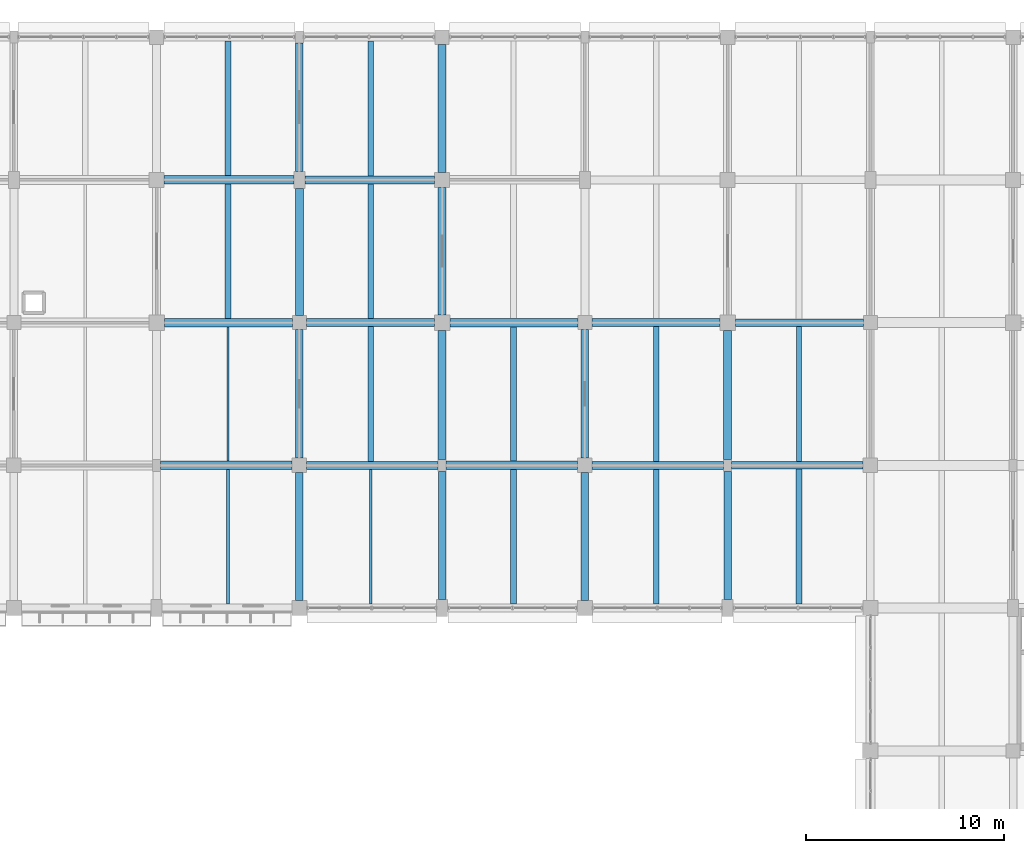
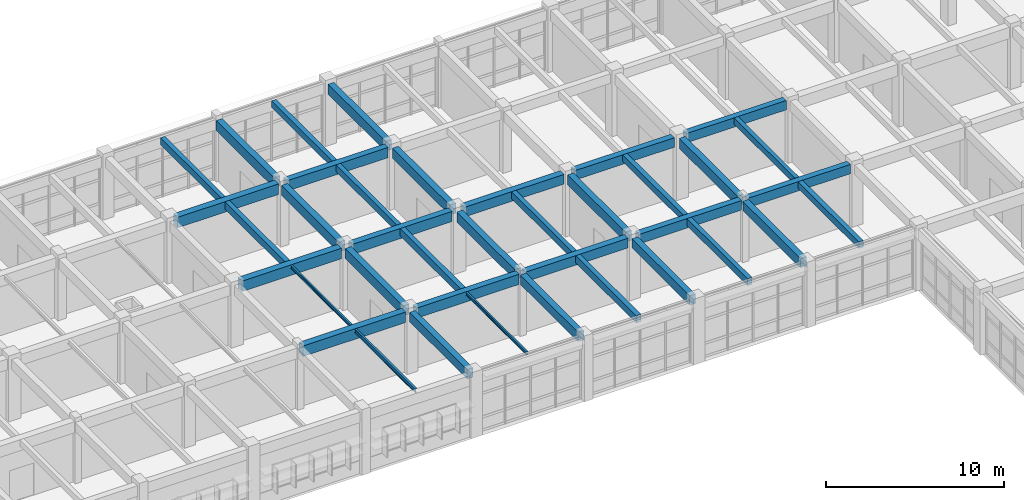
# One storey, part 82 of 171: 38 beams.
"""IFC4 building model written with IfcOpenShell, lengths in metres."""

from ifc_helpers import new_model, si_unit, direction, frame, origin, origin_2d, place, context, subcontext, project, spatial, rectangle, i_section, extrude, material, material_profile, profile_set, type_object, element, save


model = new_model("IFC4")

# Units and contexts
model_context = context("Model", 3, precision=1e-05, world=origin(), true_north=direction((0.0, 1.0)))
body_context = subcontext(model_context, "Body", "Model", "MODEL_VIEW")
ifc_project = project(units=[si_unit("LENGTHUNIT", "METRE"), si_unit("AREAUNIT", "SQUARE_METRE"), si_unit("VOLUMEUNIT", "CUBIC_METRE"), si_unit("PLANEANGLEUNIT", "RADIAN"), si_unit("MASSUNIT", "GRAM", prefix="KILO")], contexts=[model_context])

# Site, building, storey
site_placement = place(None, origin())
site = spatial("IfcSite", under=ifc_project, at=site_placement, CompositionType="ELEMENT")
building_placement = place(site_placement, origin())
building = spatial("IfcBuilding", under=site, at=building_placement, Name="Thalmaran Polytechnic", CompositionType="ELEMENT")
storey_placement = place(building_placement, frame((0.0, 0.0, 5.39990234375)))
storey = spatial("IfcBuildingStorey", under=building, at=storey_placement, Name="L01", CompositionType="ELEMENT", Elevation=5.39990234375)

# Beams
ifc_material_1 = material(Name="Concrete C40/50", Category="concrete")
ifc_material_profile_1 = material_profile(ifc_material_1, rectangle(XDim=0.39990234375, YDim=0.699951171875, at=origin_2d()), Name="RC 400x700")
ifc_profile_set_1 = profile_set([ifc_material_profile_1], Name="Concrete C40/50")
beam_type_1 = type_object("IfcBeamType", Name="BM-RC05", PredefinedType="BEAM", material=ifc_profile_set_1)
beam_1_placement = place(storey_placement, frame((101.159912109375, 100.800048828125, 3.860107421875), z_axis=(1.0, 0.0, 0.0), x_axis=(0.0, 1.0, 0.0)))
element("IfcBeam", 1, at=beam_1_placement, inside=storey, type_object=beam_type_1, Name="Grid Beam B05 L01 X(14,14)", PredefinedType="BEAM", context=body_context, shape_type="SweptSolid", body=[
    extrude(rectangle(XDim=0.39990234375, YDim=0.699951171875, at=origin_2d()), origin(), (0.0, 0.0, 1.0), 6.64013671875),
])
beam_2_placement = place(storey_placement, frame((101.14990234375, 108.0, 3.860107421875), z_axis=(1.0, 0.0, 0.0), x_axis=(0.0, 1.0, 0.0)))
element("IfcBeam", 2, at=beam_2_placement, inside=storey, type_object=beam_type_1, Name="Grid Beam B05 L01 X(14,15)", PredefinedType="BEAM", context=body_context, shape_type="SweptSolid", body=[
    extrude(rectangle(XDim=0.39990234375, YDim=0.699951171875, at=origin_2d()), origin(), (0.0, 0.0, 1.0), 6.460205078125),
])
beam_3_placement = place(storey_placement, frame((101.074951171875, 115.199951171875, 3.860107421875), z_axis=(1.0, 0.0, 0.0), x_axis=(0.0, 1.0, 0.0)))
element("IfcBeam", 3, at=beam_3_placement, inside=storey, type_object=beam_type_1, Name="Grid Beam B05 L01 X(14,16)", PredefinedType="BEAM", context=body_context, shape_type="SweptSolid", body=[
    extrude(rectangle(XDim=0.39990234375, YDim=0.699951171875, at=origin_2d()), origin(), (0.0, 0.0, 1.0), 6.550048828125),
])
ifc_material_profile_2 = material_profile(ifc_material_1, rectangle(XDim=0.39990234375, YDim=0.64990234375, at=origin_2d()), Name="RC 400x650")
ifc_profile_set_2 = profile_set([ifc_material_profile_2], Name="Concrete C40/50")
beam_type_2 = type_object("IfcBeamType", Name="BM-RC06", PredefinedType="BEAM", material=ifc_profile_set_2)
beam_4_placement = place(storey_placement, frame((115.56005859375, 100.800048828125, 3.885009765625), z_axis=(1.0, 0.0, 0.0), x_axis=(0.0, 1.0, 0.0)))
element("IfcBeam", 4, at=beam_4_placement, inside=storey, type_object=beam_type_2, Name="Grid Beam B06 L01 X(16,14)", PredefinedType="BEAM", context=body_context, shape_type="SweptSolid", body=[
    extrude(rectangle(XDim=0.39990234375, YDim=0.64990234375, at=origin_2d()), origin(), (0.0, 0.0, 1.0), 6.639892578125),
])
beam_5_placement = place(storey_placement, frame((115.550048828125, 108.0, 3.885009765625), z_axis=(1.0, 0.0, 0.0), x_axis=(0.0, 1.0, 0.0)))
element("IfcBeam", 5, at=beam_5_placement, inside=storey, type_object=beam_type_2, Name="Grid Beam B06 L01 X(16,15)", PredefinedType="BEAM", context=body_context, shape_type="SweptSolid", body=[
    extrude(rectangle(XDim=0.39990234375, YDim=0.64990234375, at=origin_2d()), origin(), (0.0, 0.0, 1.0), 6.4599609375),
])
ifc_material_profile_3 = material_profile(ifc_material_1, rectangle(XDim=0.389892578125, YDim=0.68505859375, at=origin_2d()), Name="RC 390x685")
ifc_profile_set_3 = profile_set([ifc_material_profile_3], Name="Concrete C40/50")
beam_type_3 = type_object("IfcBeamType", Name="BM-RC08", PredefinedType="BEAM", material=ifc_profile_set_3)
beam_6_placement = place(storey_placement, frame((100.800048828125, 101.159912109375, 3.86767578125), z_axis=(0.0, 1.0, 0.0), x_axis=(-1.0, 0.0, 0.0)))
element("IfcBeam", 6, at=beam_6_placement, inside=storey, type_object=beam_type_3, Name="Grid Beam B08 L01 Y(14,14)", PredefinedType="BEAM", context=body_context, shape_type="SweptSolid", body=[
    extrude(rectangle(XDim=0.389892578125, YDim=0.68505859375, at=origin_2d()), origin(), (0.0, 0.0, 1.0), 6.489990234375),
])
beam_7_placement = place(storey_placement, frame((108.0, 101.10009765625, 3.86767578125), z_axis=(0.0, 1.0, 0.0), x_axis=(-1.0, 0.0, 0.0)))
element("IfcBeam", 7, at=beam_7_placement, inside=storey, type_object=beam_type_3, Name="Grid Beam B08 L01 Y(15,14)", PredefinedType="BEAM", context=body_context, shape_type="SweptSolid", body=[
    extrude(rectangle(XDim=0.389892578125, YDim=0.68505859375, at=origin_2d()), origin(), (0.0, 0.0, 1.0), 6.510009765625),
])
beam_8_placement = place(storey_placement, frame((115.199951171875, 101.159912109375, 3.86767578125), z_axis=(0.0, 1.0, 0.0), x_axis=(-1.0, 0.0, 0.0)))
element("IfcBeam", 8, at=beam_8_placement, inside=storey, type_object=beam_type_3, Name="Grid Beam B08 L01 Y(16,14)", PredefinedType="BEAM", context=body_context, shape_type="SweptSolid", body=[
    extrude(rectangle(XDim=0.389892578125, YDim=0.68505859375, at=origin_2d()), origin(), (0.0, 0.0, 1.0), 6.489990234375),
])
beam_9_placement = place(storey_placement, frame((122.39990234375, 101.10009765625, 3.86767578125), z_axis=(0.0, 1.0, 0.0), x_axis=(-1.0, 0.0, 0.0)))
element("IfcBeam", 9, at=beam_9_placement, inside=storey, type_object=beam_type_3, Name="Grid Beam B08 L01 Y(17,14)", PredefinedType="BEAM", context=body_context, shape_type="SweptSolid", body=[
    extrude(rectangle(XDim=0.389892578125, YDim=0.68505859375, at=origin_2d()), origin(), (0.0, 0.0, 1.0), 6.510009765625),
])
ifc_material_profile_4 = material_profile(ifc_material_1, rectangle(XDim=0.389892578125, YDim=0.68994140625, at=origin_2d()), Name="RC 390x690")
ifc_profile_set_4 = profile_set([ifc_material_profile_4], Name="Concrete C40/50")
beam_type_4 = type_object("IfcBeamType", Name="BM-RC09", PredefinedType="BEAM", material=ifc_profile_set_4)
beam_10_placement = place(storey_placement, frame((100.800048828125, 115.625, 3.864990234375), z_axis=(0.0, 1.0, 0.0), x_axis=(-1.0, 0.0, 0.0)))
element("IfcBeam", 10, at=beam_10_placement, inside=storey, type_object=beam_type_4, Name="Grid Beam B09 L01 Y(14,16)", PredefinedType="BEAM", context=body_context, shape_type="SweptSolid", body=[
    extrude(rectangle(XDim=0.389892578125, YDim=0.68994140625, at=origin_2d()), origin(), (0.0, 0.0, 1.0), 6.47509765625),
])
beam_11_placement = place(storey_placement, frame((108.0, 115.574951171875, 3.864990234375), z_axis=(0.0, 1.0, 0.0), x_axis=(-1.0, 0.0, 0.0)))
element("IfcBeam", 11, at=beam_11_placement, inside=storey, type_object=beam_type_4, Name="Grid Beam B09 L01 Y(15,16)", PredefinedType="BEAM", context=body_context, shape_type="SweptSolid", body=[
    extrude(rectangle(XDim=0.389892578125, YDim=0.68994140625, at=origin_2d()), origin(), (0.0, 0.0, 1.0), 6.465087890625),
])
ifc_material_profile_5 = material_profile(ifc_material_1, rectangle(XDim=0.300048828125, YDim=0.5, at=origin_2d()), Name="RC 300x500")
ifc_profile_set_5 = profile_set([ifc_material_profile_5], Name="Concrete C40/50")
beam_type_5 = type_object("IfcBeamType", Name="BM-RC11", PredefinedType="JOIST", material=ifc_profile_set_5)
beam_12_placement = place(storey_placement, frame((97.199951171875, 108.219970703125, 3.960205078125), z_axis=(0.0, 1.0, 0.0), x_axis=(-1.0, 0.0, 0.0)))
element("IfcBeam", 12, at=beam_12_placement, inside=storey, type_object=beam_type_5, Name="Secondary Floor Rib RB01 L01 (13,15)", PredefinedType="JOIST", context=body_context, shape_type="SweptSolid", body=[
    extrude(rectangle(XDim=0.300048828125, YDim=0.5, at=origin_2d()), origin(), (0.0, 0.0, 1.0), 6.760009765625),
])
beam_13_placement = place(storey_placement, frame((104.39990234375, 101.0, 3.960205078125), z_axis=(0.0, 1.0, 0.0), x_axis=(-1.0, 0.0, 0.0)))
element("IfcBeam", 13, at=beam_13_placement, inside=storey, type_object=beam_type_5, Name="Secondary Floor Rib RB01 L01 (14,14)", PredefinedType="JOIST", context=body_context, shape_type="SweptSolid", body=[
    extrude(rectangle(XDim=0.300048828125, YDim=0.5, at=origin_2d()), origin(), (0.0, 0.0, 1.0), 6.800048828125),
])
beam_14_placement = place(storey_placement, frame((111.60009765625, 93.800048828125, 3.960205078125), z_axis=(0.0, 1.0, 0.0), x_axis=(-1.0, 0.0, 0.0)))
element("IfcBeam", 14, at=beam_14_placement, inside=storey, type_object=beam_type_5, Name="Secondary Floor Rib RB01 L01 (15,13)", PredefinedType="JOIST", context=body_context, shape_type="SweptSolid", body=[
    extrude(rectangle(XDim=0.300048828125, YDim=0.5, at=origin_2d()), origin(), (0.0, 0.0, 1.0), 6.7900390625),
])
ifc_material_profile_6 = material_profile(ifc_material_1, rectangle(XDim=0.300048828125, YDim=0.449951171875, at=origin_2d()), Name="RC 300x450")
ifc_profile_set_6 = profile_set([ifc_material_profile_6], Name="Concrete C40/50")
beam_type_6 = type_object("IfcBeamType", Name="BM-RC12", PredefinedType="JOIST", material=ifc_profile_set_6)
for number, where, z_axis, x_axis, name in (
    (15, (104.39990234375, 115.39990234375, 3.985107421875), (0.0, 1.0, 0.0), (-1.0, 0.0, 0.0), "Secondary Floor Rib RB02 L01 (14,16)"),
    (16, (118.800048828125, 101.0, 3.985107421875), (0.0, 1.0, 0.0), (-1.0, 0.0, 0.0), "Secondary Floor Rib RB02 L01 (16,14)"),
):
    element("IfcBeam", number, at=place(storey_placement, frame(where, z_axis=z_axis, x_axis=x_axis)), inside=storey, type_object=beam_type_6, Name=name, PredefinedType="JOIST", context=body_context, shape_type="SweptSolid", body=[
        extrude(rectangle(XDim=0.300048828125, YDim=0.449951171875, at=origin_2d()), origin(), (0.0, 0.0, 1.0), 6.800048828125),
    ])
beam_15_placement = place(storey_placement, frame((126.0, 93.800048828125, 3.985107421875), z_axis=(0.0, 1.0, 0.0), x_axis=(-1.0, 0.0, 0.0)))
element("IfcBeam", 17, at=beam_15_placement, inside=storey, type_object=beam_type_6, Name="Secondary Floor Rib RB02 L01 (17,13)", PredefinedType="JOIST", context=body_context, shape_type="SweptSolid", body=[
    extrude(rectangle(XDim=0.300048828125, YDim=0.449951171875, at=origin_2d()), origin(), (0.0, 0.0, 1.0), 6.81005859375),
])
ifc_material_2 = material(Name="Steel S355", Category="steel")
ifc_material_profile_7 = material_profile(ifc_material_2, i_section(OverallWidth=0.135009765625, OverallDepth=0.27001953125, WebThickness=0.006591796875, FlangeThickness=0.01025390625, at=origin_2d()), Name="IPE 270")
ifc_profile_set_7 = profile_set([ifc_material_profile_7], Name="Steel S355")
beam_type_7 = type_object("IfcBeamType", Name="BM-SJ03", PredefinedType="JOIST", material=ifc_profile_set_7)
beam_16_placement = place(storey_placement, frame((97.199951171875, 93.800048828125, 4.0751953125), z_axis=(0.0, 1.0, 0.0), x_axis=(-1.0, 0.0, 0.0)))
element("IfcBeam", 18, at=beam_16_placement, inside=storey, type_object=beam_type_7, Name="Secondary Floor Rib SJ03 L01 (13,13)", PredefinedType="JOIST", context=body_context, shape_type="SweptSolid", body=[
    extrude(i_section(OverallWidth=0.135009765625, OverallDepth=0.27001953125, WebThickness=0.006591796875, FlangeThickness=0.01025390625, at=origin_2d()), origin(), (0.0, 0.0, 1.0), 6.780029296875),
])
ifc_material_profile_8 = material_profile(ifc_material_2, i_section(OverallWidth=0.110107421875, OverallDepth=0.219970703125, WebThickness=0.005859375, FlangeThickness=0.00927734375, at=origin_2d()), Name="IPE 220")
ifc_profile_set_8 = profile_set([ifc_material_profile_8], Name="Steel S355")
beam_type_8 = type_object("IfcBeamType", Name="BM-SJ04", PredefinedType="JOIST", material=ifc_profile_set_8)
beam_17_placement = place(storey_placement, frame((97.199951171875, 101.02001953125, 4.10009765625), z_axis=(0.0, 1.0, 0.0), x_axis=(-1.0, 0.0, 0.0)))
element("IfcBeam", 19, at=beam_17_placement, inside=storey, type_object=beam_type_8, Name="Secondary Floor Rib SJ04 L01 (13,14)", PredefinedType="JOIST", context=body_context, shape_type="SweptSolid", body=[
    extrude(i_section(OverallWidth=0.110107421875, OverallDepth=0.219970703125, WebThickness=0.005859375, FlangeThickness=0.00927734375, at=origin_2d()), origin(), (0.0, 0.0, 1.0), 6.760009765625),
])
beam_18_placement = place(storey_placement, frame((104.39990234375, 93.800048828125, 4.10009765625), z_axis=(0.0, 1.0, 0.0), x_axis=(-1.0, 0.0, 0.0)))
element("IfcBeam", 20, at=beam_18_placement, inside=storey, type_object=beam_type_8, Name="Secondary Floor Rib SJ04 L01 (14,13)", PredefinedType="JOIST", context=body_context, shape_type="SweptSolid", body=[
    extrude(i_section(OverallWidth=0.110107421875, OverallDepth=0.219970703125, WebThickness=0.005859375, FlangeThickness=0.00927734375, at=origin_2d()), origin(), (0.0, 0.0, 1.0), 6.800048828125),
])
ifc_material_profile_9 = material_profile(ifc_material_1, rectangle(XDim=0.43994140625, YDim=0.719970703125, at=origin_2d()), Name="RC 440x720")
ifc_profile_set_9 = profile_set([ifc_material_profile_9], Name="Concrete C40/50")
beam_type_9 = type_object("IfcBeamType", Name="BM-ZB03", PredefinedType="BEAM", material=ifc_profile_set_9)
beam_19_placement = place(storey_placement, frame((93.800048828125, 100.800048828125, 3.85009765625), z_axis=(1.0, 0.0, 0.0), x_axis=(0.0, 1.0, 0.0)))
element("IfcBeam", 21, at=beam_19_placement, inside=storey, type_object=beam_type_9, Name="Grid Beam ZB03 L01 X(13,14)", PredefinedType="BEAM", context=body_context, shape_type="SweptSolid", body=[
    extrude(rectangle(XDim=0.43994140625, YDim=0.719970703125, at=origin_2d()), origin(), (0.0, 0.0, 1.0), 6.639892578125),
])
beam_20_placement = place(storey_placement, frame((93.989990234375, 108.0, 3.85009765625), z_axis=(1.0, 0.0, 0.0), x_axis=(0.0, 1.0, 0.0)))
element("IfcBeam", 22, at=beam_20_placement, inside=storey, type_object=beam_type_9, Name="Grid Beam ZB03 L01 X(13,15)", PredefinedType="BEAM", context=body_context, shape_type="SweptSolid", body=[
    extrude(rectangle(XDim=0.43994140625, YDim=0.719970703125, at=origin_2d()), origin(), (0.0, 0.0, 1.0), 6.4599609375),
])
beam_21_placement = place(storey_placement, frame((93.97509765625, 115.199951171875, 3.85009765625), z_axis=(1.0, 0.0, 0.0), x_axis=(0.0, 1.0, 0.0)))
element("IfcBeam", 23, at=beam_21_placement, inside=storey, type_object=beam_type_9, Name="Grid Beam ZB03 L01 X(13,16)", PredefinedType="BEAM", context=body_context, shape_type="SweptSolid", body=[
    extrude(rectangle(XDim=0.43994140625, YDim=0.719970703125, at=origin_2d()), origin(), (0.0, 0.0, 1.0), 6.5498046875),
])
ifc_material_profile_10 = material_profile(ifc_material_1, rectangle(XDim=0.419921875, YDim=0.659912109375, at=origin_2d()), Name="RC 420x660")
ifc_profile_set_10 = profile_set([ifc_material_profile_10], Name="Concrete C40/50")
beam_type_10 = type_object("IfcBeamType", Name="BM-ZB04", PredefinedType="BEAM", material=ifc_profile_set_10)
beam_22_placement = place(storey_placement, frame((108.199951171875, 100.800048828125, 3.880126953125), z_axis=(1.0, 0.0, 0.0), x_axis=(0.0, 1.0, 0.0)))
element("IfcBeam", 24, at=beam_22_placement, inside=storey, type_object=beam_type_10, Name="Grid Beam ZB04 L01 X(15,14)", PredefinedType="BEAM", context=body_context, shape_type="SweptSolid", body=[
    extrude(rectangle(XDim=0.419921875, YDim=0.659912109375, at=origin_2d()), origin(), (0.0, 0.0, 1.0), 6.64013671875),
])
beam_23_placement = place(storey_placement, frame((108.389892578125, 108.0, 3.880126953125), z_axis=(1.0, 0.0, 0.0), x_axis=(0.0, 1.0, 0.0)))
element("IfcBeam", 25, at=beam_23_placement, inside=storey, type_object=beam_type_10, Name="Grid Beam ZB04 L01 X(15,15)", PredefinedType="BEAM", context=body_context, shape_type="SweptSolid", body=[
    extrude(rectangle(XDim=0.419921875, YDim=0.659912109375, at=origin_2d()), origin(), (0.0, 0.0, 1.0), 6.460205078125),
])
ifc_material_profile_11 = material_profile(ifc_material_1, rectangle(XDim=0.3798828125, YDim=0.639892578125, at=origin_2d()), Name="RC 380x640")
ifc_profile_set_11 = profile_set([ifc_material_profile_11], Name="Concrete C40/50")
beam_type_11 = type_object("IfcBeamType", Name="BM-ZB05", PredefinedType="BEAM", material=ifc_profile_set_11)
beam_24_placement = place(storey_placement, frame((122.60009765625, 100.800048828125, 3.89013671875), z_axis=(1.0, 0.0, 0.0), x_axis=(0.0, 1.0, 0.0)))
element("IfcBeam", 26, at=beam_24_placement, inside=storey, type_object=beam_type_11, Name="Grid Beam ZB05 L01 X(17,14)", PredefinedType="BEAM", context=body_context, shape_type="SweptSolid", body=[
    extrude(rectangle(XDim=0.3798828125, YDim=0.639892578125, at=origin_2d()), origin(), (0.0, 0.0, 1.0), 6.639892578125),
])
beam_25_placement = place(storey_placement, frame((122.7900390625, 108.0, 3.89013671875), z_axis=(1.0, 0.0, 0.0), x_axis=(0.0, 1.0, 0.0)))
element("IfcBeam", 27, at=beam_25_placement, inside=storey, type_object=beam_type_11, Name="Grid Beam ZB05 L01 X(17,15)", PredefinedType="BEAM", context=body_context, shape_type="SweptSolid", body=[
    extrude(rectangle(XDim=0.3798828125, YDim=0.639892578125, at=origin_2d()), origin(), (0.0, 0.0, 1.0), 6.4599609375),
])
ifc_material_profile_12 = material_profile(ifc_material_1, rectangle(XDim=0.3798828125, YDim=0.635009765625, at=origin_2d()), Name="RC 380x635")
ifc_profile_set_12 = profile_set([ifc_material_profile_12], Name="Concrete C40/50")
beam_type_12 = type_object("IfcBeamType", Name="BM-ZB06", PredefinedType="BEAM", material=ifc_profile_set_12)
beam_26_placement = place(storey_placement, frame((100.800048828125, 93.97509765625, 3.892578125), z_axis=(0.0, 1.0, 0.0), x_axis=(-1.0, 0.0, 0.0)))
element("IfcBeam", 28, at=beam_26_placement, inside=storey, type_object=beam_type_12, Name="Grid Beam ZB06 L01 Y(14,13)", PredefinedType="BEAM", context=body_context, shape_type="SweptSolid", body=[
    extrude(rectangle(XDim=0.3798828125, YDim=0.635009765625, at=origin_2d()), origin(), (0.0, 0.0, 1.0), 6.46484375),
])
beam_27_placement = place(storey_placement, frame((108.0, 94.02490234375, 3.892578125), z_axis=(0.0, 1.0, 0.0), x_axis=(-1.0, 0.0, 0.0)))
element("IfcBeam", 29, at=beam_27_placement, inside=storey, type_object=beam_type_12, Name="Grid Beam ZB06 L01 Y(15,13)", PredefinedType="BEAM", context=body_context, shape_type="SweptSolid", body=[
    extrude(rectangle(XDim=0.3798828125, YDim=0.635009765625, at=origin_2d()), origin(), (0.0, 0.0, 1.0), 6.47509765625),
])
beam_28_placement = place(storey_placement, frame((115.199951171875, 93.97509765625, 3.892578125), z_axis=(0.0, 1.0, 0.0), x_axis=(-1.0, 0.0, 0.0)))
element("IfcBeam", 30, at=beam_28_placement, inside=storey, type_object=beam_type_12, Name="Grid Beam ZB06 L01 Y(16,13)", PredefinedType="BEAM", context=body_context, shape_type="SweptSolid", body=[
    extrude(rectangle(XDim=0.3798828125, YDim=0.635009765625, at=origin_2d()), origin(), (0.0, 0.0, 1.0), 6.46484375),
])
beam_29_placement = place(storey_placement, frame((122.39990234375, 94.02490234375, 3.892578125), z_axis=(0.0, 1.0, 0.0), x_axis=(-1.0, 0.0, 0.0)))
element("IfcBeam", 31, at=beam_29_placement, inside=storey, type_object=beam_type_12, Name="Grid Beam ZB06 L01 Y(17,13)", PredefinedType="BEAM", context=body_context, shape_type="SweptSolid", body=[
    extrude(rectangle(XDim=0.3798828125, YDim=0.635009765625, at=origin_2d()), origin(), (0.0, 0.0, 1.0), 6.47509765625),
])
ifc_material_profile_13 = material_profile(ifc_material_1, rectangle(XDim=0.39990234375, YDim=0.68505859375, at=origin_2d()), Name="RC 400x685")
ifc_profile_set_13 = profile_set([ifc_material_profile_13], Name="Concrete C40/50")
beam_type_13 = type_object("IfcBeamType", Name="BM-ZB07", PredefinedType="BEAM", material=ifc_profile_set_13)
beam_30_placement = place(storey_placement, frame((100.800048828125, 108.35009765625, 3.86767578125), z_axis=(0.0, 1.0, 0.0), x_axis=(-1.0, 0.0, 0.0)))
element("IfcBeam", 32, at=beam_30_placement, inside=storey, type_object=beam_type_13, Name="Grid Beam ZB07 L01 Y(14,15)", PredefinedType="BEAM", context=body_context, shape_type="SweptSolid", body=[
    extrude(rectangle(XDim=0.39990234375, YDim=0.68505859375, at=origin_2d()), origin(), (0.0, 0.0, 1.0), 6.4248046875),
])
beam_31_placement = place(storey_placement, frame((108.0, 108.389892578125, 3.86767578125), z_axis=(0.0, 1.0, 0.0), x_axis=(-1.0, 0.0, 0.0)))
element("IfcBeam", 33, at=beam_31_placement, inside=storey, type_object=beam_type_13, Name="Grid Beam ZB07 L01 Y(15,15)", PredefinedType="BEAM", context=body_context, shape_type="SweptSolid", body=[
    extrude(rectangle(XDim=0.39990234375, YDim=0.68505859375, at=origin_2d()), origin(), (0.0, 0.0, 1.0), 6.43505859375),
])
ifc_material_profile_14 = material_profile(ifc_material_1, rectangle(XDim=0.280029296875, YDim=0.47998046875, at=origin_2d()), Name="RC 280x480")
ifc_profile_set_14 = profile_set([ifc_material_profile_14], Name="Concrete C40/50")
beam_type_14 = type_object("IfcBeamType", Name="BM-ZJ01", PredefinedType="JOIST", material=ifc_profile_set_14)
beam_32_placement = place(storey_placement, frame((97.199951171875, 115.419921875, 3.97021484375), z_axis=(0.0, 1.0, 0.0), x_axis=(-1.0, 0.0, 0.0)))
element("IfcBeam", 34, at=beam_32_placement, inside=storey, type_object=beam_type_14, Name="Secondary Floor Rib ZJ01 L01 (13,16)", PredefinedType="JOIST", context=body_context, shape_type="SweptSolid", body=[
    extrude(rectangle(XDim=0.280029296875, YDim=0.47998046875, at=origin_2d()), origin(), (0.0, 0.0, 1.0), 6.780029296875),
])
beam_33_placement = place(storey_placement, frame((104.39990234375, 108.199951171875, 3.97021484375), z_axis=(0.0, 1.0, 0.0), x_axis=(-1.0, 0.0, 0.0)))
element("IfcBeam", 35, at=beam_33_placement, inside=storey, type_object=beam_type_14, Name="Secondary Floor Rib ZJ01 L01 (14,15)", PredefinedType="JOIST", context=body_context, shape_type="SweptSolid", body=[
    extrude(rectangle(XDim=0.280029296875, YDim=0.47998046875, at=origin_2d()), origin(), (0.0, 0.0, 1.0), 6.800048828125),
])
beam_34_placement = place(storey_placement, frame((111.60009765625, 101.010009765625, 3.97021484375), z_axis=(0.0, 1.0, 0.0), x_axis=(-1.0, 0.0, 0.0)))
element("IfcBeam", 36, at=beam_34_placement, inside=storey, type_object=beam_type_14, Name="Secondary Floor Rib ZJ01 L01 (15,14)", PredefinedType="JOIST", context=body_context, shape_type="SweptSolid", body=[
    extrude(rectangle(XDim=0.280029296875, YDim=0.47998046875, at=origin_2d()), origin(), (0.0, 0.0, 1.0), 6.780029296875),
])
beam_35_placement = place(storey_placement, frame((118.800048828125, 93.800048828125, 3.97021484375), z_axis=(0.0, 1.0, 0.0), x_axis=(-1.0, 0.0, 0.0)))
element("IfcBeam", 37, at=beam_35_placement, inside=storey, type_object=beam_type_14, Name="Secondary Floor Rib ZJ01 L01 (16,13)", PredefinedType="JOIST", context=body_context, shape_type="SweptSolid", body=[
    extrude(rectangle(XDim=0.280029296875, YDim=0.47998046875, at=origin_2d()), origin(), (0.0, 0.0, 1.0), 6.800048828125),
])
ifc_material_profile_15 = material_profile(ifc_material_1, rectangle(XDim=0.260009765625, YDim=0.43994140625, at=origin_2d()), Name="RC 260x440")
ifc_profile_set_15 = profile_set([ifc_material_profile_15], Name="Concrete C40/50")
beam_type_15 = type_object("IfcBeamType", Name="BM-ZJ02", PredefinedType="JOIST", material=ifc_profile_set_15)
beam_36_placement = place(storey_placement, frame((126.0, 100.989990234375, 3.989990234375), z_axis=(0.0, 1.0, 0.0), x_axis=(-1.0, 0.0, 0.0)))
element("IfcBeam", 38, at=beam_36_placement, inside=storey, type_object=beam_type_15, Name="Secondary Floor Rib ZJ02 L01 (17,14)", PredefinedType="JOIST", context=body_context, shape_type="SweptSolid", body=[
    extrude(rectangle(XDim=0.260009765625, YDim=0.43994140625, at=origin_2d()), origin(), (0.0, 0.0, 1.0), 6.820068359375),
])

save(model, "model.ifc")
